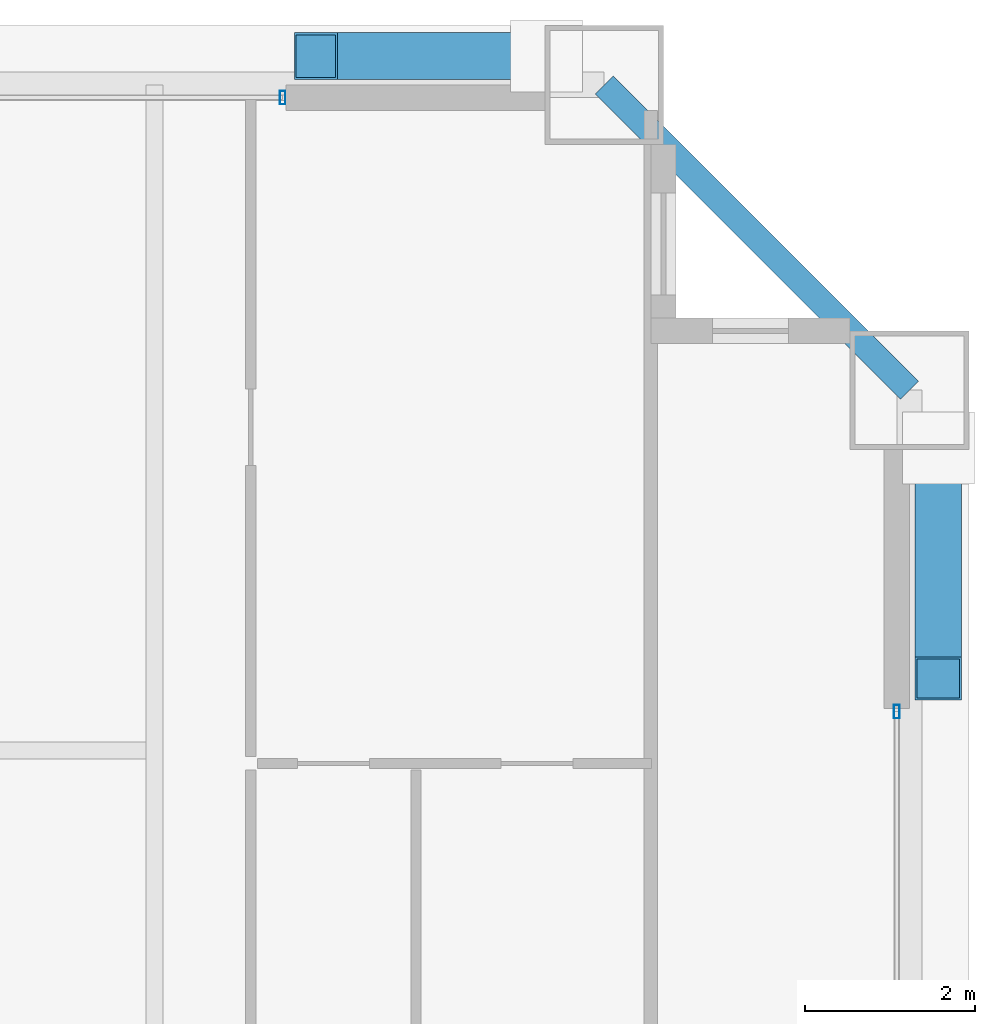
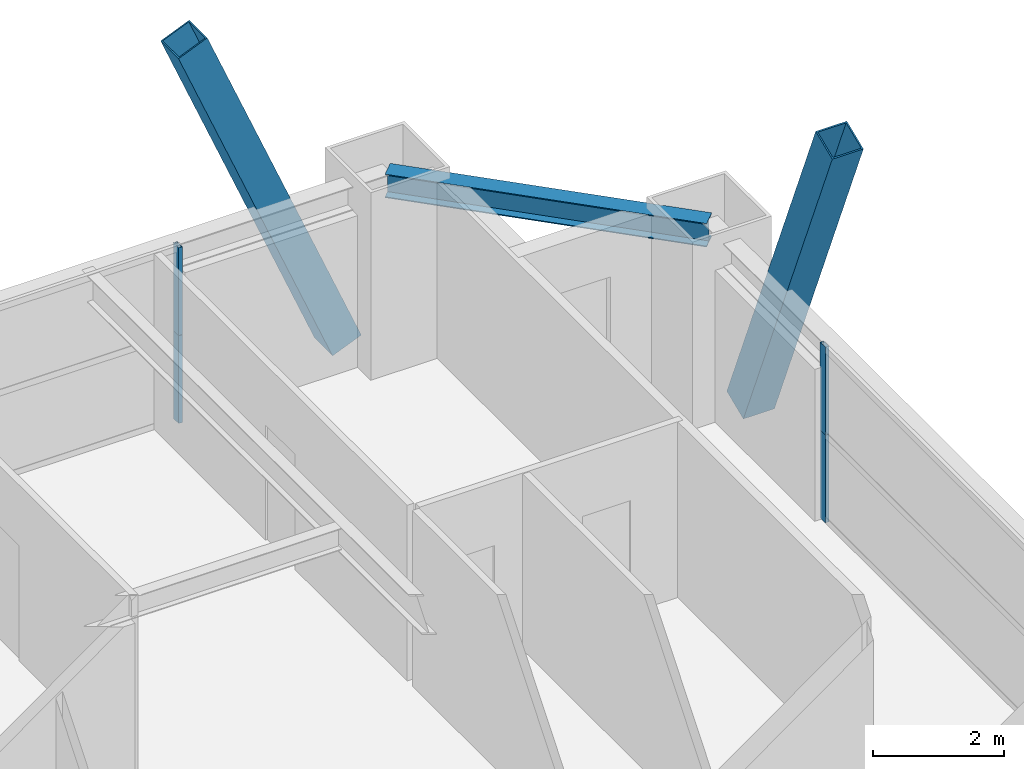
# One storey, part 38 of 45: 6 members, 1 beam, 2 elements without a shape of their own.
"""IFC4 building model written with IfcOpenShell, lengths in metres."""

from ifc_helpers import new_model, si_unit, direction, frame, origin, origin_2d, place, context, subcontext, project, spatial, hollow_rectangle, i_section, extrude, source, transform, mapped, material, layer, layer_set, material_profile, profile_set, type_object, element, aggregate, save


model = new_model("IFC4")

# Units and contexts
model_context = context("Model", 3, precision=1e-05, world=origin(), true_north=direction((0.0, 1.0)))
body_context = subcontext(model_context, "Body", "Model", "MODEL_VIEW")
ifc_project = project(units=[si_unit("LENGTHUNIT", "METRE"), si_unit("AREAUNIT", "SQUARE_METRE"), si_unit("VOLUMEUNIT", "CUBIC_METRE"), si_unit("PLANEANGLEUNIT", "RADIAN"), si_unit("MASSUNIT", "GRAM", prefix="KILO"), si_unit("THERMODYNAMICTEMPERATUREUNIT", "KELVIN"), si_unit("POWERUNIT", "WATT")], contexts=[model_context])

# Site, building, storey
site_placement = place(None, origin())
site = spatial("IfcSite", under=ifc_project, at=site_placement, CompositionType="ELEMENT")
building_placement = place(site_placement, origin())
building = spatial("IfcBuilding", under=site, at=building_placement, Name="Yuzanri Waterfront Tower", CompositionType="ELEMENT")
storey_placement = place(building_placement, frame((0.0, 0.0, 198.5)))
storey = spatial("IfcBuildingStorey", under=building, at=storey_placement, Name="L52", CompositionType="ELEMENT", Elevation=198.5)

# Beam
ifc_material_1 = material(Name="Steel Q355B", Category="steel")
ifc_material_profile_1 = material_profile(ifc_material_1, i_section(OverallWidth=0.300048828125, OverallDepth=0.43994140625, WebThickness=0.010986328125, FlangeThickness=0.01806640625, at=origin_2d()), Name="HM 440x300x11x18")
ifc_profile_set_1 = profile_set([ifc_material_profile_1], Name="Steel Q355B")
beam_type = type_object("IfcBeamType", Name="Perimeter Spandrel Q355B HM 440x300", PredefinedType="SPANDREL", material=ifc_profile_set_1)
shared_shape_1 = source(origin(), body_context, "Body", "SweptSolid", [
    extrude(i_section(OverallWidth=0.300048828125, OverallDepth=0.43994140625, WebThickness=0.010986328125, FlangeThickness=0.01806640625, at=origin_2d()), origin(), (0.0, 0.0, 1.0), 5.091064453125),
])
beam_placement = place(storey_placement, frame((59.10009765625, 44.300048828125, 3.06005859375), z_axis=(-0.707130757816, 0.707082803744, 0.0), x_axis=(-0.707082803744, -0.707130757816, 0.0)))
element("IfcBeam", 1, at=beam_placement, inside=storey, type_object=beam_type, Name="L52 Perimeter Spandrel E3-N3", PredefinedType="SPANDREL", context=body_context, shape_type="MappedRepresentation", body=[
    mapped(shared_shape_1, transform((0.0, 0.0, 0.0), scale=1.0)),
])

# Members
ifc_material_2 = material(Name="Steel Q390GJC", Category="steel")
ifc_material_profile_2 = material_profile(ifc_material_2, hollow_rectangle(XDim=0.550048828125, YDim=0.550048828125, WallThickness=0.02490234375, at=origin_2d()), Name="RHS 550x550x25")
ifc_profile_set_2 = profile_set([ifc_material_profile_2], Name="Steel Q390GJC")
member_type_1 = type_object("IfcMemberType", Name="Mega Brace Mid Q390GJC RHS 550x550x25", PredefinedType="BRACE", material=ifc_profile_set_2)
shared_shape_2 = source(origin(), body_context, "Body", "SweptSolid", [
    extrude(hollow_rectangle(XDim=0.550048828125, YDim=0.550048828125, WallThickness=0.02490234375, at=origin_2d()), origin(), (0.0, 0.0, 1.0), 7.046142578125),
])
for number, where, z_axis, x_axis, name in (
    (2, (54.820068359375, 48.239990234375, 0.179931640625), (-0.386022211732, 0.0, 0.922489486146), (0.0, -1.0, 0.0), "L52-L53 Perimeter Mega-Brace N-R"),
    (3, (59.43994140625, 43.6201171875, 0.179931640625), (0.0, -0.386051696808, 0.922477147355), (1.0, 0.0, 0.0), "L52-L53 Perimeter Mega-Brace E-R"),
):
    element("IfcMember", number, at=place(storey_placement, frame(where, z_axis=z_axis, x_axis=x_axis)), inside=storey, type_object=member_type_1, Name=name, PredefinedType="BRACE", context=body_context, shape_type="MappedRepresentation", body=[
        mapped(shared_shape_2, transform((0.0, 0.0, 0.0), scale=1.0)),
    ])

# Curtain wall, members
ifc_material_3 = material(Name="Anodized Architectural Bronze", Category="metal")
ifc_layer = layer(ifc_material_3, 0.159912109375)
ifc_layer_set = layer_set([ifc_layer], Name="Anodized Architectural Bronze")
curtain_wall_type = type_object("IfcCurtainWallType", Name="Anodized Bronze Mid-Rise Residential Acoustic Unitized Curtain Wall 7200", PredefinedType="NOTDEFINED", material=ifc_layer_set)
curtain_wall_1_placement = place(storey_placement, origin())
curtain_wall_1 = element("IfcCurtainWall", 4, at=curtain_wall_1_placement, inside=storey, type_object=curtain_wall_type, Name="L52 Curtain Wall CW-L52-NR", PredefinedType="NOTDEFINED")
ifc_material_4 = material(Name="Anodized Architectural Bronze", Category="metal")
ifc_material_profile_3 = material_profile(ifc_material_4, hollow_rectangle(XDim=0.06494140625, YDim=0.159912109375, WallThickness=0.00341796875, at=origin_2d()), Name="CWM 65x160")
ifc_profile_set_3 = profile_set([ifc_material_profile_3], Name="Anodized Architectural Bronze")
member_type_2 = type_object("IfcMemberType", Name="Anodized Bronze Upper-Zone Curtain-Wall Mullion 65x160", PredefinedType="MULLION", material=ifc_profile_set_3)
shared_shape_3 = source(origin(), body_context, "Body", "SweptSolid", [
    extrude(hollow_rectangle(XDim=0.06494140625, YDim=0.159912109375, WallThickness=0.00341796875, at=origin_2d()), origin(), (0.0, 0.0, 1.0), 1.637939453125),
])
member_1_placement = place(storey_placement, frame((51.7099609375, 47.75, 0.0), z_axis=(0.0, 0.0, 1.0), x_axis=(1.0, 0.0, 0.0)))
member_1 = element("IfcMember", 5, at=member_1_placement, type_object=member_type_2, Name="CW-L52-NR Lower Mullion 02", PredefinedType="MULLION", context=body_context, shape_type="MappedRepresentation", body=[
    mapped(shared_shape_3, transform((0.0, 0.0, 0.0), scale=1.0)),
])
member_2_placement = place(storey_placement, frame((51.7099609375, 47.75, 1.64208984375), z_axis=(0.0, 0.0, 1.0), x_axis=(1.0, 0.0, 0.0)))
member_2 = element("IfcMember", 6, at=member_2_placement, type_object=member_type_2, Name="CW-L52-NR Upper Mullion 02", PredefinedType="MULLION", context=body_context, shape_type="MappedRepresentation", body=[
    mapped(shared_shape_3, transform((0.0, 0.0, 0.0), scale=1.0)),
])
aggregate(curtain_wall_1, [member_1, member_2])

curtain_wall_2_placement = place(storey_placement, origin())
curtain_wall_2 = element("IfcCurtainWall", 7, at=curtain_wall_2_placement, inside=storey, type_object=curtain_wall_type, Name="L52 Curtain Wall CW-L52-ER", PredefinedType="NOTDEFINED")
member_3_placement = place(storey_placement, frame((58.949951171875, 40.510009765625, 0.0), z_axis=(0.0, 0.0, 1.0), x_axis=(1.0, 0.0, 0.0)))
member_3 = element("IfcMember", 8, at=member_3_placement, type_object=member_type_2, Name="CW-L52-ER Lower Mullion 02", PredefinedType="MULLION", context=body_context, shape_type="MappedRepresentation", body=[
    mapped(shared_shape_3, transform((0.0, 0.0, 0.0), scale=1.0)),
])
member_4_placement = place(storey_placement, frame((58.949951171875, 40.510009765625, 1.64208984375), z_axis=(0.0, 0.0, 1.0), x_axis=(1.0, 0.0, 0.0)))
member_4 = element("IfcMember", 9, at=member_4_placement, type_object=member_type_2, Name="CW-L52-ER Upper Mullion 02", PredefinedType="MULLION", context=body_context, shape_type="MappedRepresentation", body=[
    mapped(shared_shape_3, transform((0.0, 0.0, 0.0), scale=1.0)),
])
aggregate(curtain_wall_2, [member_3, member_4])

save(model, "model.ifc")
